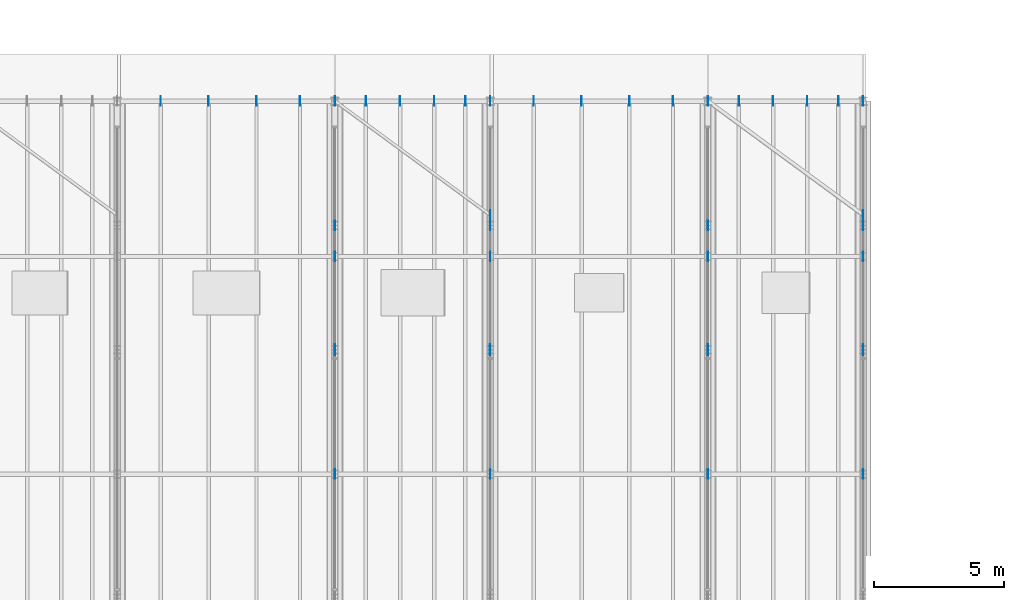
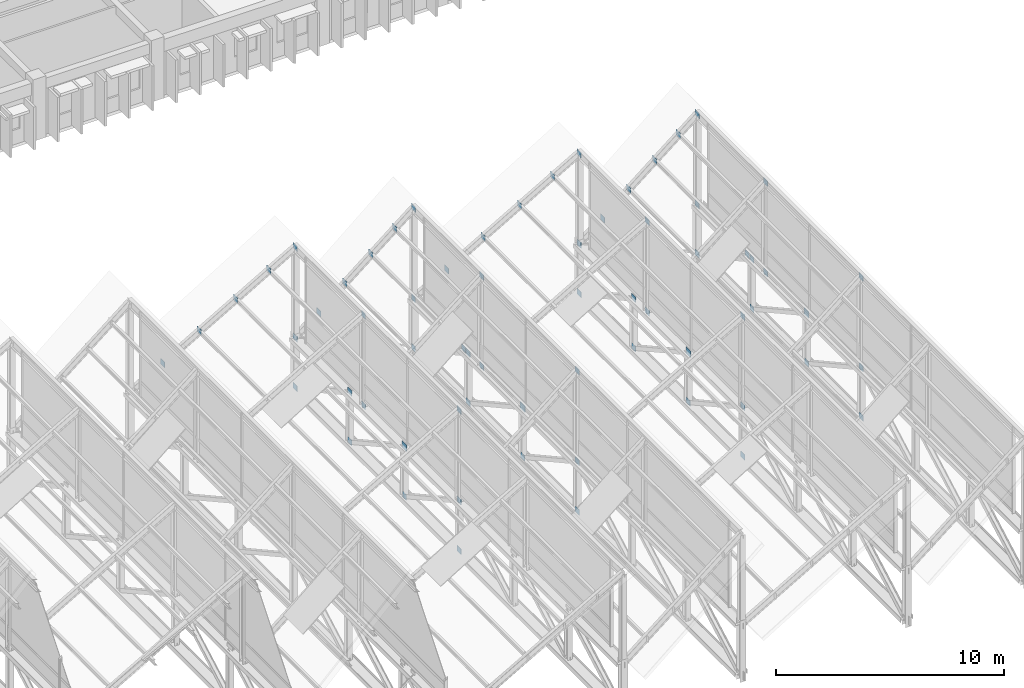
# One storey, part 40 of 101: 66 plates.
"""IFC4 building model written with IfcOpenShell, lengths in metres."""

from ifc_helpers import new_model, si_unit, direction, frame, origin, origin_2d, place, context, subcontext, project, spatial, rectangle, extrude, material, layer, layer_set, type_object, element, save


model = new_model("IFC4")

# Units and contexts
model_context = context("Model", 3, precision=1e-05, world=origin(), true_north=direction((0.0, 1.0)))
body_context = subcontext(model_context, "Body", "Model", "MODEL_VIEW")
ifc_project = project(units=[si_unit("LENGTHUNIT", "METRE"), si_unit("AREAUNIT", "SQUARE_METRE"), si_unit("VOLUMEUNIT", "CUBIC_METRE"), si_unit("PLANEANGLEUNIT", "RADIAN"), si_unit("MASSUNIT", "GRAM", prefix="KILO"), si_unit("THERMODYNAMICTEMPERATUREUNIT", "KELVIN")], contexts=[model_context])

# Site, building, storey
site_placement = place(None, origin())
site = spatial("IfcSite", under=ifc_project, at=site_placement, CompositionType="ELEMENT")
building_placement = place(site_placement, origin())
building = spatial("IfcBuilding", under=site, at=building_placement, Name="Thalorik Housing Commons", CompositionType="ELEMENT")
storey_placement = place(building_placement, frame((0.0, 0.0, 8.10009765625)))
storey = spatial("IfcBuildingStorey", under=building, at=storey_placement, Name="L02", CompositionType="ELEMENT", Elevation=8.10009765625)

# Plates
ifc_material = material(Name="Steel S355", Category="steel")
ifc_layer_1 = layer(ifc_material, 0.01806640625, Name="Steel S355", Category="steel")
ifc_layer_set_1 = layer_set([ifc_layer_1], Name="Steel S355")
plate_type_1 = type_object("IfcPlateType", Name="STR-PLT-GP03", PredefinedType="SHEET", material=ifc_layer_set_1)
for number, where, z_axis, x_axis, name in (
    (1, (94.800048828125, 76.800048828125, 2.830078125), (0.0, 0.0, 1.0), (1.0, 0.0, 0.0), "L02 Truss Node Gusset Plate 19"),
    (2, (100.800048828125, 76.800048828125, 2.830078125), (0.0, 0.0, 1.0), (1.0, 0.0, 0.0), "L02 Truss Node Gusset Plate 23"),
    (3, (109.199951171875, 76.800048828125, 2.830078125), (0.0, 0.0, 1.0), (1.0, 0.0, 0.0), "L02 Truss Node Gusset Plate 27"),
    (4, (115.199951171875, 76.800048828125, 2.830078125), (0.0, 0.0, 1.0), (1.0, 0.0, 0.0), "L02 Truss Node Gusset Plate 31"),
):
    element("IfcPlate", number, at=place(storey_placement, frame(where, z_axis=z_axis, x_axis=x_axis)), inside=storey, type_object=plate_type_1, Name=name, PredefinedType="SHEET", context=body_context, shape_type="SweptSolid", body=[
        extrude(rectangle(XDim=0.01806640625, YDim=0.419921875, at=origin_2d()), origin(), (0.0, 0.0, 1.0), 0.340087890625),
    ])
ifc_layer_2 = layer(ifc_material, 0.01611328125, Name="Steel S355", Category="steel")
ifc_layer_set_2 = layer_set([ifc_layer_2], Name="Steel S355")
plate_type_2 = type_object("IfcPlateType", Name="STR-PLT-GP04", PredefinedType="SHEET", material=ifc_layer_set_2)
for number, where, z_axis, x_axis, name in (
    (5, (94.800048828125, 86.39990234375, 0.19970703125), (0.0, 0.0, 1.0), (1.0, 0.0, 0.0), "L02 Truss Node Gusset Plate 20"),
    (6, (100.800048828125, 86.39990234375, 0.19970703125), (0.0, 0.0, 1.0), (1.0, 0.0, 0.0), "L02 Truss Node Gusset Plate 24"),
    (7, (109.199951171875, 86.39990234375, 0.19970703125), (0.0, 0.0, 1.0), (1.0, 0.0, 0.0), "L02 Truss Node Gusset Plate 28"),
    (8, (115.199951171875, 86.39990234375, 0.19970703125), (0.0, 0.0, 1.0), (1.0, 0.0, 0.0), "L02 Truss Node Gusset Plate 32"),
    (9, (94.800048828125, 86.39990234375, 2.85009765625), (0.0, 0.0, 1.0), (1.0, 0.0, 0.0), "L02 Member End Connection Plate 42"),
    (10, (94.800048828125, 72.0, 0.19970703125), (0.0, 0.0, 1.0), (1.0, 0.0, 0.0), "L02 Member End Connection Plate 46"),
    (11, (94.800048828125, 72.0, 2.85009765625), (0.0, 0.0, 1.0), (1.0, 0.0, 0.0), "L02 Member End Connection Plate 47"),
    (12, (94.800048828125, 76.800048828125, 0.19970703125), (0.0, 0.0, 1.0), (1.0, 0.0, 0.0), "L02 Member End Connection Plate 48"),
    (13, (94.800048828125, 81.60009765625, 0.19970703125), (0.0, 0.0, 1.0), (1.0, 0.0, 0.0), "L02 Member End Connection Plate 49"),
    (14, (94.800048828125, 81.60009765625, 2.85009765625), (0.0, 0.0, 1.0), (1.0, 0.0, 0.0), "L02 Member End Connection Plate 50"),
    (15, (100.800048828125, 86.39990234375, 2.85009765625), (0.0, 0.0, 1.0), (1.0, 0.0, 0.0), "L02 Member End Connection Plate 52"),
    (16, (100.800048828125, 72.0, 0.19970703125), (0.0, 0.0, 1.0), (1.0, 0.0, 0.0), "L02 Member End Connection Plate 56"),
    (17, (100.800048828125, 72.0, 2.85009765625), (0.0, 0.0, 1.0), (1.0, 0.0, 0.0), "L02 Member End Connection Plate 57"),
    (18, (100.800048828125, 76.800048828125, 0.19970703125), (0.0, 0.0, 1.0), (1.0, 0.0, 0.0), "L02 Member End Connection Plate 58"),
    (19, (100.800048828125, 81.60009765625, 0.19970703125), (0.0, 0.0, 1.0), (1.0, 0.0, 0.0), "L02 Member End Connection Plate 59"),
    (20, (100.800048828125, 81.60009765625, 2.85009765625), (0.0, 0.0, 1.0), (1.0, 0.0, 0.0), "L02 Member End Connection Plate 60"),
    (21, (109.199951171875, 86.39990234375, 2.85009765625), (0.0, 0.0, 1.0), (1.0, 0.0, 0.0), "L02 Member End Connection Plate 62"),
    (22, (109.199951171875, 72.0, 0.19970703125), (0.0, 0.0, 1.0), (1.0, 0.0, 0.0), "L02 Member End Connection Plate 66"),
    (23, (109.199951171875, 72.0, 2.85009765625), (0.0, 0.0, 1.0), (1.0, 0.0, 0.0), "L02 Member End Connection Plate 67"),
    (24, (109.199951171875, 76.800048828125, 0.19970703125), (0.0, 0.0, 1.0), (1.0, 0.0, 0.0), "L02 Member End Connection Plate 68"),
    (25, (109.199951171875, 81.60009765625, 0.19970703125), (0.0, 0.0, 1.0), (1.0, 0.0, 0.0), "L02 Member End Connection Plate 69"),
    (26, (109.199951171875, 81.60009765625, 2.85009765625), (0.0, 0.0, 1.0), (1.0, 0.0, 0.0), "L02 Member End Connection Plate 70"),
    (27, (115.199951171875, 86.39990234375, 2.85009765625), (0.0, 0.0, 1.0), (1.0, 0.0, 0.0), "L02 Member End Connection Plate 72"),
    (28, (115.199951171875, 72.0, 0.19970703125), (0.0, 0.0, 1.0), (1.0, 0.0, 0.0), "L02 Member End Connection Plate 76"),
    (29, (115.199951171875, 72.0, 2.85009765625), (0.0, 0.0, 1.0), (1.0, 0.0, 0.0), "L02 Member End Connection Plate 77"),
    (30, (115.199951171875, 76.800048828125, 0.19970703125), (0.0, 0.0, 1.0), (1.0, 0.0, 0.0), "L02 Member End Connection Plate 78"),
    (31, (115.199951171875, 81.60009765625, 0.19970703125), (0.0, 0.0, 1.0), (1.0, 0.0, 0.0), "L02 Member End Connection Plate 79"),
    (32, (115.199951171875, 81.60009765625, 2.85009765625), (0.0, 0.0, 1.0), (1.0, 0.0, 0.0), "L02 Member End Connection Plate 80"),
    (33, (94.800048828125, 72.0, 7.69970703125), (0.0, 0.0, 1.0), (1.0, 0.0, 0.0), "L02 Member End Connection Plate 133"),
    (34, (94.800048828125, 80.39990234375, 2.85009765625), (0.0, 0.0, 1.0), (1.0, 0.0, 0.0), "L02 Member End Connection Plate 134"),
    (35, (94.800048828125, 80.39990234375, 7.69970703125), (0.0, 0.0, 1.0), (1.0, 0.0, 0.0), "L02 Member End Connection Plate 135"),
    (36, (94.800048828125, 86.39990234375, 7.69970703125), (0.0, 0.0, 1.0), (1.0, 0.0, 0.0), "L02 Member End Connection Plate 136"),
    (37, (88.080078125, 86.39990234375, 3.826171875), (0.0, 0.0, 1.0), (1.0, 0.0, 0.0), "L02 Member End Connection Plate 138"),
    (38, (89.927978515625, 86.39990234375, 4.9267578125), (0.0, 0.0, 1.0), (1.0, 0.0, 0.0), "L02 Member End Connection Plate 140"),
    (39, (91.77587890625, 86.39990234375, 5.99365234375), (0.0, 0.0, 1.0), (1.0, 0.0, 0.0), "L02 Member End Connection Plate 142"),
    (40, (93.4560546875, 86.39990234375, 6.9638671875), (0.0, 0.0, 1.0), (1.0, 0.0, 0.0), "L02 Member End Connection Plate 144"),
    (41, (100.800048828125, 72.0, 7.69970703125), (0.0, 0.0, 1.0), (1.0, 0.0, 0.0), "L02 Member End Connection Plate 148"),
    (42, (100.800048828125, 80.39990234375, 2.85009765625), (0.0, 0.0, 1.0), (1.0, 0.0, 0.0), "L02 Member End Connection Plate 149"),
    (43, (100.800048828125, 80.39990234375, 7.69970703125), (0.0, 0.0, 1.0), (1.0, 0.0, 0.0), "L02 Member End Connection Plate 150"),
    (44, (100.800048828125, 86.39990234375, 7.69970703125), (0.0, 0.0, 1.0), (1.0, 0.0, 0.0), "L02 Member End Connection Plate 151"),
    (45, (96.0, 86.39990234375, 3.7841796875), (0.0, 0.0, 1.0), (1.0, 0.0, 0.0), "L02 Member End Connection Plate 153"),
    (46, (97.320068359375, 86.39990234375, 4.90625), (0.0, 0.0, 1.0), (1.0, 0.0, 0.0), "L02 Member End Connection Plate 155"),
    (47, (98.639892578125, 86.39990234375, 5.99365234375), (0.0, 0.0, 1.0), (1.0, 0.0, 0.0), "L02 Member End Connection Plate 157"),
    (48, (99.840087890625, 86.39990234375, 6.9638671875), (0.0, 0.0, 1.0), (1.0, 0.0, 0.0), "L02 Member End Connection Plate 159"),
    (49, (100.800048828125, 82.0, 2.85009765625), (0.0, 0.0, 1.0), (1.0, 0.0, 0.0), "L02 Member End Connection Plate 161"),
    (50, (109.199951171875, 72.0, 7.69970703125), (0.0, 0.0, 1.0), (1.0, 0.0, 0.0), "L02 Member End Connection Plate 165"),
    (51, (109.199951171875, 80.39990234375, 2.85009765625), (0.0, 0.0, 1.0), (1.0, 0.0, 0.0), "L02 Member End Connection Plate 166"),
    (52, (109.199951171875, 80.39990234375, 7.69970703125), (0.0, 0.0, 1.0), (1.0, 0.0, 0.0), "L02 Member End Connection Plate 167"),
    (53, (109.199951171875, 86.39990234375, 7.69970703125), (0.0, 0.0, 1.0), (1.0, 0.0, 0.0), "L02 Member End Connection Plate 168"),
    (54, (102.47998046875, 86.39990234375, 3.826171875), (0.0, 0.0, 1.0), (1.0, 0.0, 0.0), "L02 Member End Connection Plate 170"),
    (55, (104.327880859375, 86.39990234375, 4.9267578125), (0.0, 0.0, 1.0), (1.0, 0.0, 0.0), "L02 Member End Connection Plate 172"),
    (56, (106.176025390625, 86.39990234375, 5.99365234375), (0.0, 0.0, 1.0), (1.0, 0.0, 0.0), "L02 Member End Connection Plate 174"),
    (57, (107.85595703125, 86.39990234375, 6.9638671875), (0.0, 0.0, 1.0), (1.0, 0.0, 0.0), "L02 Member End Connection Plate 176"),
    (58, (115.199951171875, 72.0, 7.69970703125), (0.0, 0.0, 1.0), (1.0, 0.0, 0.0), "L02 Member End Connection Plate 180"),
    (59, (115.199951171875, 80.39990234375, 2.85009765625), (0.0, 0.0, 1.0), (1.0, 0.0, 0.0), "L02 Member End Connection Plate 181"),
    (60, (115.199951171875, 80.39990234375, 7.69970703125), (0.0, 0.0, 1.0), (1.0, 0.0, 0.0), "L02 Member End Connection Plate 182"),
    (61, (115.199951171875, 86.39990234375, 7.69970703125), (0.0, 0.0, 1.0), (1.0, 0.0, 0.0), "L02 Member End Connection Plate 183"),
    (62, (110.39990234375, 86.39990234375, 3.7841796875), (0.0, 0.0, 1.0), (1.0, 0.0, 0.0), "L02 Member End Connection Plate 185"),
    (63, (111.719970703125, 86.39990234375, 4.90625), (0.0, 0.0, 1.0), (1.0, 0.0, 0.0), "L02 Member End Connection Plate 187"),
    (64, (113.0400390625, 86.39990234375, 5.99365234375), (0.0, 0.0, 1.0), (1.0, 0.0, 0.0), "L02 Member End Connection Plate 189"),
    (65, (114.239990234375, 86.39990234375, 6.9638671875), (0.0, 0.0, 1.0), (1.0, 0.0, 0.0), "L02 Member End Connection Plate 191"),
    (66, (115.199951171875, 82.0, 2.85009765625), (0.0, 0.0, 1.0), (1.0, 0.0, 0.0), "L02 Member End Connection Plate 193"),
):
    element("IfcPlate", number, at=place(storey_placement, frame(where, z_axis=z_axis, x_axis=x_axis)), inside=storey, type_object=plate_type_2, Name=name, PredefinedType="SHEET", context=body_context, shape_type="SweptSolid", body=[
        extrude(rectangle(XDim=0.01611328125, YDim=0.360107421875, at=origin_2d()), origin(), (0.0, 0.0, 1.0), 0.300048828125),
    ])

save(model, "model.ifc")
